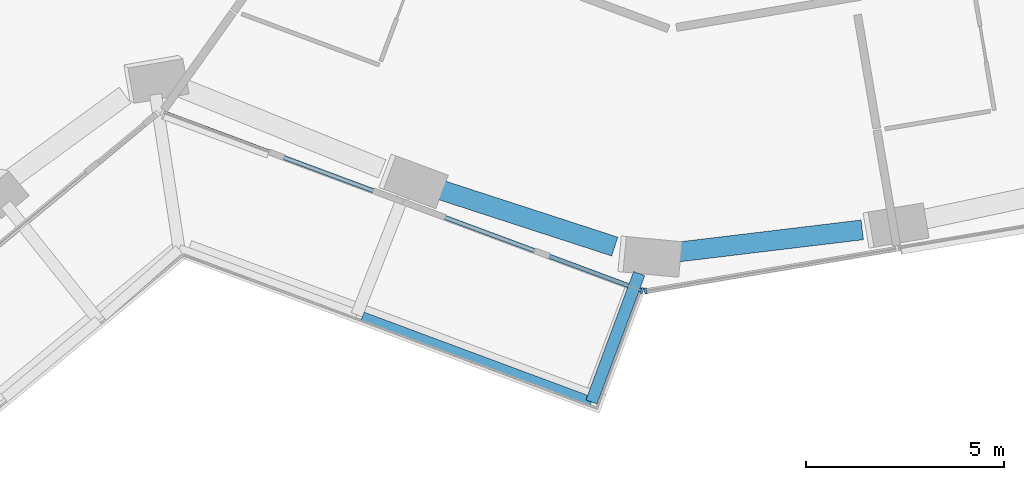
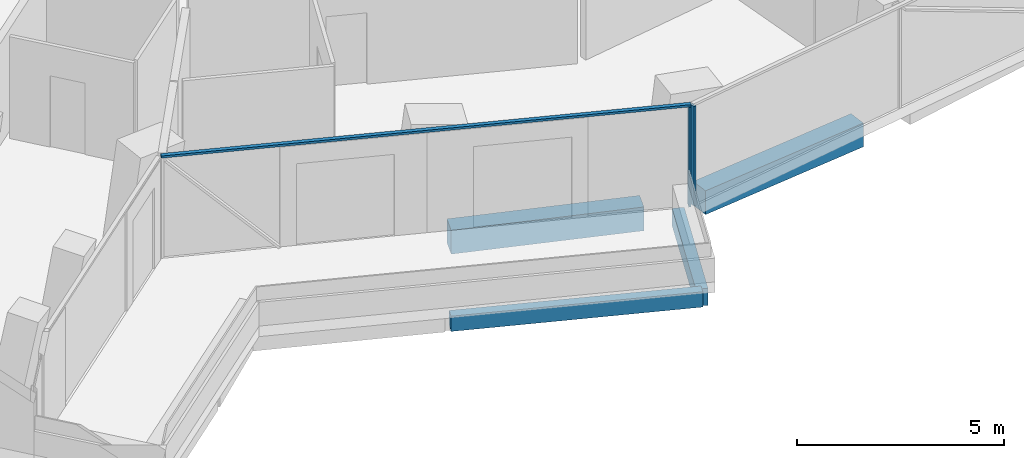
# One storey, part 3 of 27: 4 beams, 3 members, 2 elements without a shape of their own.
"""IFC4 building model written with IfcOpenShell, lengths in metres."""

from ifc_helpers import new_model, si_unit, direction, frame, origin, origin_2d, place, context, subcontext, project, spatial, rectangle, extrude, material, layer, layer_set, material_profile, profile_set, type_object, element, aggregate, save


model = new_model("IFC4")

# Units and contexts
model_context = context("Model", 3, precision=1e-05, world=origin(), true_north=direction((0.0, 1.0)))
body_context = subcontext(model_context, "Body", "Model", "MODEL_VIEW")
ifc_project = project(units=[si_unit("LENGTHUNIT", "METRE"), si_unit("AREAUNIT", "SQUARE_METRE"), si_unit("VOLUMEUNIT", "CUBIC_METRE"), si_unit("PLANEANGLEUNIT", "RADIAN"), si_unit("MASSUNIT", "GRAM", prefix="KILO")], contexts=[model_context])

# Site, building, storey
site_placement = place(None, origin())
site = spatial("IfcSite", under=ifc_project, at=site_placement, CompositionType="ELEMENT")
building_placement = place(site_placement, origin())
building = spatial("IfcBuilding", under=site, at=building_placement, Name="Verdalira Terraces Hotel", CompositionType="ELEMENT")
storey_placement = place(building_placement, frame((0.0, 0.0, 71.5)))
storey = spatial("IfcBuildingStorey", under=building, at=storey_placement, Name="L16", CompositionType="ELEMENT", Elevation=71.5)

# Beams
ifc_material_1 = material(Name="Concrete C40", Category="concrete")
ifc_material_profile_1 = material_profile(ifc_material_1, rectangle(XDim=0.300049, YDim=0.5, at=origin_2d()), Name="RC 300X500")
ifc_profile_set_1 = profile_set([ifc_material_profile_1], Name="Concrete C40")
beam_type_1 = type_object("IfcBeamType", Name="Balcony cantilever beam RC 300X500 C40", PredefinedType="BEAM", material=ifc_profile_set_1)
beam_1_placement = place(storey_placement, frame((-2.470215, -24.475098, -0.560059), z_axis=(-0.348560605, -0.937286245, 0.0), x_axis=(0.937286245, -0.348560605, 0.0)))
element("IfcBeam", 1, at=beam_1_placement, inside=storey, type_object=beam_type_1, Name="Balcony cantilever beam R24-5", PredefinedType="BEAM", context=body_context, shape_type="SweptSolid", body=[
    extrude(rectangle(XDim=0.300049, YDim=0.5, at=origin_2d()), origin(), (0.0, 0.0, 1.0), 3.457275),
])
ifc_material_2 = material(Name="Concrete C40", Category="concrete")
ifc_material_profile_2 = material_profile(ifc_material_2, rectangle(XDim=0.25, YDim=0.449951, at=origin_2d()), Name="RC 250X450")
ifc_profile_set_2 = profile_set([ifc_material_profile_2], Name="Concrete C40")
beam_type_2 = type_object("IfcBeamType", Name="Balcony edge beam RC 250X450 C40", PredefinedType="BEAM", material=ifc_profile_set_2)
beam_2_placement = place(storey_placement, frame((-9.451172, -25.567383, -0.534912), z_axis=(0.937273334, -0.348595319, 0.0), x_axis=(0.348595319, 0.937273334, 0.0)))
element("IfcBeam", 2, at=beam_2_placement, inside=storey, type_object=beam_type_2, Name="Balcony edge beam R24-4", PredefinedType="BEAM", context=body_context, shape_type="SweptSolid", body=[
    extrude(rectangle(XDim=0.25, YDim=0.449951, at=origin_2d()), origin(), (0.0, 0.0, 1.0), 6.162354),
])

# Curtain wall, member
ifc_material_3 = material(Name="Clear glass", Category="glass")
ifc_layer = layer(ifc_material_3, 0.14990234375)
ifc_layer_set = layer_set([ifc_layer], Name="CW1 curtain wall")
curtain_wall_type = type_object("IfcCurtainWallType", Name="CW1 curtain wall", PredefinedType="NOTDEFINED", material=ifc_layer_set)
curtain_wall_1_placement = place(storey_placement, origin())
curtain_wall_1 = element("IfcCurtainWall", 3, at=curtain_wall_1_placement, inside=storey, type_object=curtain_wall_type, Name="CW1 curtain wall L16 edge 25", PredefinedType="NOTDEFINED")
ifc_material_4 = material(Name="Terracotta frame", Category="masonry")
ifc_material_profile_3 = material_profile(ifc_material_4, rectangle(XDim=0.060059, YDim=0.149902, at=origin_2d()), Name="MU 60x150")
ifc_profile_set_3 = profile_set([ifc_material_profile_3], Name="Terracotta frame")
member_type_1 = type_object("IfcMemberType", Name="CW1 mullion 60x150", PredefinedType="MULLION", material=ifc_profile_set_3)
member_1_placement = place(storey_placement, frame((-2.403076, -24.907959, 0.0), z_axis=(0.0, 0.0, 1.0), x_axis=(0.937281989, -0.348572047, 0.0)))
member_1 = element("IfcMember", 4, at=member_1_placement, type_object=member_type_1, Name="CW1 mullion", PredefinedType="MULLION", context=body_context, shape_type="SweptSolid", body=[
    extrude(rectangle(XDim=0.060059, YDim=0.149902, at=origin_2d()), origin(), (0.0, 0.0, 1.0), 2.935059),
])

curtain_wall_2_placement = place(storey_placement, origin())
curtain_wall_2 = element("IfcCurtainWall", 5, at=curtain_wall_2_placement, inside=storey, type_object=curtain_wall_type, Name="CW1 curtain wall L16 edge 26", PredefinedType="NOTDEFINED")
member_2_placement = place(storey_placement, frame((-2.306641, -24.916992, 0.0), z_axis=(0.0, 0.0, 1.0), x_axis=(0.985996037, 0.166768747, 0.0)))
member_2 = element("IfcMember", 6, at=member_2_placement, type_object=member_type_1, Name="CW1 mullion", PredefinedType="MULLION", context=body_context, shape_type="SweptSolid", body=[
    extrude(rectangle(XDim=0.060059, YDim=0.149902, at=origin_2d()), origin(), (0.0, 0.0, 1.0), 2.935059),
])
aggregate(curtain_wall_2, [member_2])

# Member
ifc_material_5 = material(Name="Terracotta frame", Category="masonry")
ifc_material_profile_4 = material_profile(ifc_material_5, rectangle(XDim=0.110107, YDim=0.064941, at=origin_2d()), Name="TR 65x110")
ifc_profile_set_4 = profile_set([ifc_material_profile_4], Name="Terracotta frame")
member_type_2 = type_object("IfcMemberType", Name="CW1 transom 65x110", PredefinedType="USERDEFINED", material=ifc_profile_set_4)
member_3_placement = place(storey_placement, frame((-14.521973, -20.400879, 2.967529), z_axis=(0.937284124, -0.348566309, 0.0), x_axis=(0.348566309, 0.937284124, 0.0)))
member_3 = element("IfcMember", 7, at=member_3_placement, type_object=member_type_2, Name="CW1 transom", ObjectType="TRANSOM", PredefinedType="USERDEFINED", context=body_context, shape_type="SweptSolid", body=[
    extrude(rectangle(XDim=0.110107, YDim=0.064941, at=origin_2d()), origin(), (0.0, 0.0, 1.0), 12.959717),
])

aggregate(curtain_wall_1, [member_1, member_3])

# Beams
ifc_material_6 = material(Name="Concrete C70", Category="concrete")
ifc_material_profile_5 = material_profile(ifc_material_6, rectangle(XDim=0.5, YDim=0.699951, at=origin_2d()), Name="RC 500X700")
ifc_profile_set_5 = profile_set([ifc_material_profile_5], Name="Concrete C70")
beam_type_3 = type_object("IfcBeamType", Name="Spandrel beam RC 500X700 C70", PredefinedType="SPANDREL", material=ifc_profile_set_5)
beam_3_placement = place(storey_placement, frame((-7.609375, -22.325195, -0.659912), z_axis=(0.950958207, -0.309319397, 0.0), x_axis=(0.309319397, 0.950958207, 0.0)))
element("IfcBeam", 8, at=beam_3_placement, inside=storey, type_object=beam_type_3, Name="Spandrel beam B20", PredefinedType="SPANDREL", context=body_context, shape_type="SweptSolid", body=[
    extrude(rectangle(XDim=0.5, YDim=0.699951, at=origin_2d()), origin(), (0.0, 0.0, 1.0), 4.755371),
])
beam_4_placement = place(storey_placement, frame((-1.570068, -23.942627, -0.659912), z_axis=(0.992854731, 0.119329308, 0.0), x_axis=(-0.119329308, 0.992854731, 0.0)))
element("IfcBeam", 9, at=beam_4_placement, inside=storey, type_object=beam_type_3, Name="Spandrel beam B21", PredefinedType="SPANDREL", context=body_context, shape_type="SweptSolid", body=[
    extrude(rectangle(XDim=0.5, YDim=0.699951, at=origin_2d()), origin(), (0.0, 0.0, 1.0), 4.758789),
])

save(model, "model.ifc")
